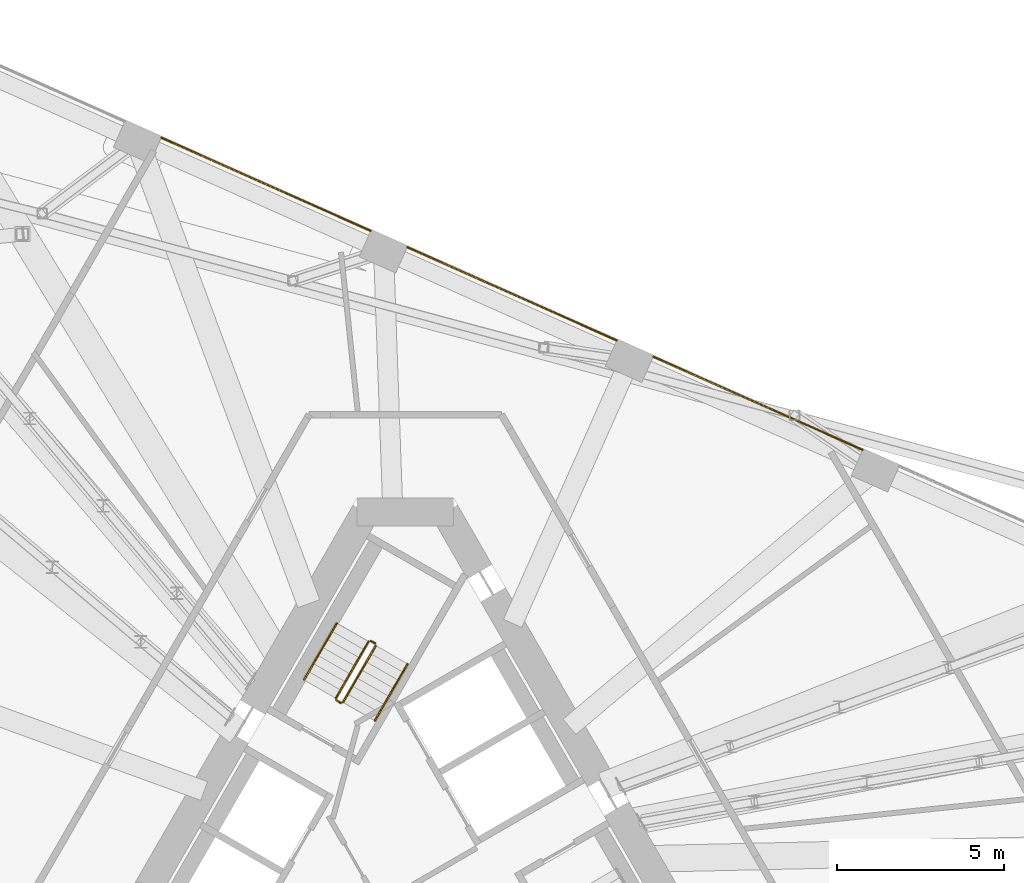
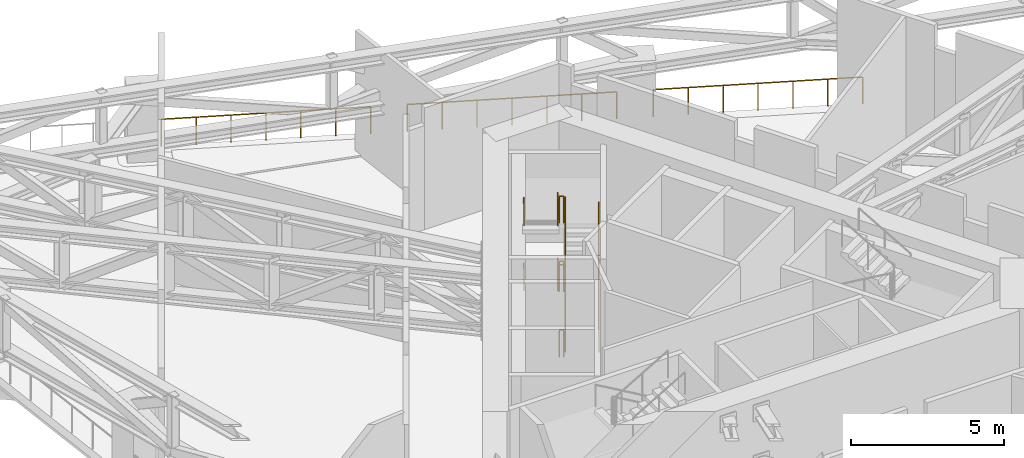
# One storey, part 25 of 26: 15 railings.
"""IFC4 building model written with IfcOpenShell, lengths in metres."""

from ifc_helpers import new_model, si_unit, direction, frame, origin, origin_2d, place, context, subcontext, project, spatial, circle, extrude, material, type_object, element, save


model = new_model("IFC4")

# Units and contexts
model_context = context("Model", 3, precision=1e-05, world=origin(), true_north=direction((0.0, 1.0)))
body_context = subcontext(model_context, "Body", "Model", "MODEL_VIEW")
ifc_project = project(units=[si_unit("LENGTHUNIT", "METRE"), si_unit("AREAUNIT", "SQUARE_METRE"), si_unit("VOLUMEUNIT", "CUBIC_METRE"), si_unit("PLANEANGLEUNIT", "RADIAN"), si_unit("MASSUNIT", "GRAM", prefix="KILO")], contexts=[model_context])

# Site, building, storey
site_placement = place(None, origin())
site = spatial("IfcSite", under=ifc_project, at=site_placement, CompositionType="ELEMENT")
building_placement = place(site_placement, origin())
building = spatial("IfcBuilding", under=site, at=building_placement, Name="Tramontana Tower", CompositionType="ELEMENT")
storey_placement = place(building_placement, frame((0.0, 0.0, 194.800048828125)))
storey = spatial("IfcBuildingStorey", under=building, at=storey_placement, Name="L45", CompositionType="ELEMENT", Elevation=194.800048828125)

# Railings
ifc_material_1 = material(Name="Stainless steel rail and posts", Category="steel")
railing_type_1 = type_object("IfcRailingType", Name="GD2 Terrace guard 1100", PredefinedType="GUARDRAIL", material=ifc_material_1)
railing_1_placement = place(storey_placement, frame((-1.0380859375, 19.016357421875, 0.0)))
element("IfcRailing", 1, at=railing_1_placement, inside=storey, type_object=railing_type_1, Name="Edge guard L45 11", PredefinedType="GUARDRAIL", context=body_context, shape_type="SweptSolid", body=[
    extrude(circle(Radius=0.02392578125, at=origin_2d()), frame((0.0, 0.0, 1.076171875), z_axis=(-0.913556855272, 0.406711042615, 0.0), x_axis=(-0.406711042615, -0.913556855272, 0.0)), (0.0, 0.0, 1.0), 6.8828125),
    extrude(circle(Radius=0.02099609375, at=origin_2d()), origin(), (0.0, 0.0, 1.0), 1.052001953125),
    extrude(circle(Radius=0.02099609375, at=origin_2d()), frame((-1.0478515625, 0.466552734375, 0.0)), (0.0, 0.0, 1.0), 1.052001953125),
    extrude(circle(Radius=0.02099609375, at=origin_2d()), frame((-2.095947265625, 0.93310546875, 0.0)), (0.0, 0.0, 1.0), 1.052001953125),
    extrude(circle(Radius=0.02099609375, at=origin_2d()), frame((-3.14404296875, 1.399658203125, 0.0)), (0.0, 0.0, 1.0), 1.052001953125),
    extrude(circle(Radius=0.02099609375, at=origin_2d()), frame((-4.19189453125, 1.8662109375, 0.0)), (0.0, 0.0, 1.0), 1.052001953125),
    extrude(circle(Radius=0.02099609375, at=origin_2d()), frame((-5.23974609375, 2.332763671875, 0.0)), (0.0, 0.0, 1.0), 1.052001953125),
    extrude(circle(Radius=0.02099609375, at=origin_2d()), frame((-6.287841796875, 2.79931640625, 0.0)), (0.0, 0.0, 1.0), 1.052001953125),
])
for number, where, name in (
    (2, (6.345947265625, 15.728515625, 0.0), "Edge guard L45 13"),
    (3, (13.730224609375, 12.44091796875, 0.0), "Edge guard L45 15"),
):
    element("IfcRailing", number, at=place(storey_placement, frame(where)), inside=storey, type_object=railing_type_1, Name=name, PredefinedType="GUARDRAIL", context=body_context, shape_type="SweptSolid", body=[
        extrude(circle(Radius=0.02392578125, at=origin_2d()), frame((0.0, 0.0, 1.076171875), z_axis=(-0.913543675585, 0.40674064562, 0.0), x_axis=(-0.40674064562, -0.913543675585, 0.0)), (0.0, 0.0, 1.0), 6.8828125),
        extrude(circle(Radius=0.02099609375, at=origin_2d()), origin(), (0.0, 0.0, 1.0), 1.052001953125),
        extrude(circle(Radius=0.02099609375, at=origin_2d()), frame((-1.0478515625, 0.466552734375, 0.0)), (0.0, 0.0, 1.0), 1.052001953125),
        extrude(circle(Radius=0.02099609375, at=origin_2d()), frame((-2.095947265625, 0.93310546875, 0.0)), (0.0, 0.0, 1.0), 1.052001953125),
        extrude(circle(Radius=0.02099609375, at=origin_2d()), frame((-3.14404296875, 1.39990234375, 0.0)), (0.0, 0.0, 1.0), 1.052001953125),
        extrude(circle(Radius=0.02099609375, at=origin_2d()), frame((-4.19189453125, 1.866455078125, 0.0)), (0.0, 0.0, 1.0), 1.052001953125),
        extrude(circle(Radius=0.02099609375, at=origin_2d()), frame((-5.23974609375, 2.3330078125, 0.0)), (0.0, 0.0, 1.0), 1.052001953125),
        extrude(circle(Radius=0.02099609375, at=origin_2d()), frame((-6.287841796875, 2.799560546875, 0.0)), (0.0, 0.0, 1.0), 1.052001953125),
    ])
ifc_material_2 = material(Name="Painted steel", Category="steel")
railing_type_2 = type_object("IfcRailingType", Name="STAIR GUARD 1100", PredefinedType="GUARDRAIL", material=ifc_material_2)
railing_2_placement = place(storey_placement, frame((-1.867431640625, 4.865478515625, 0.162353515625)))
element("IfcRailing", 4, at=railing_2_placement, inside=storey, type_object=railing_type_2, Name="L45 ST1 stair guard 1", PredefinedType="GUARDRAIL", context=body_context, shape_type="SweptSolid", body=[
    extrude(circle(Radius=0.02392578125, at=origin_2d()), frame((0.0, 0.0, 1.076171875), z_axis=(0.432408546523, 0.749012611852, 0.501998960338), x_axis=(-0.866042469362, 0.499970440388, 0.0)), (0.0, 0.0, 1.0), 2.266357421875),
    extrude(circle(Radius=0.02099609375, at=origin_2d()), origin(), (0.0, 0.0, 1.0), 1.052001953125),
    extrude(circle(Radius=0.02099609375, at=origin_2d()), frame((0.489990234375, 0.8486328125, 0.56884765625)), (0.0, 0.0, 1.0), 1.052001953125),
    extrude(circle(Radius=0.02099609375, at=origin_2d()), frame((0.97998046875, 1.697509765625, 1.1376953125)), (0.0, 0.0, 1.0), 1.052001953125),
])
railing_3_placement = place(storey_placement, frame((-1.10400390625, 6.68798828125, 1.46240234375)))
element("IfcRailing", 5, at=railing_3_placement, inside=storey, type_object=railing_type_2, Name="L45 ST1 stair guard 2", PredefinedType="GUARDRAIL", context=body_context, shape_type="SweptSolid", body=[
    extrude(circle(Radius=0.02392578125, at=origin_2d()), frame((0.0, 0.0, 1.076171875), z_axis=(-0.432431929651, -0.749053115811, 0.501918375746), x_axis=(0.866042469362, -0.499970440388, 0.0)), (0.0, 0.0, 1.0), 2.26611328125),
    extrude(circle(Radius=0.02099609375, at=origin_2d()), origin(), (0.0, 0.0, 1.0), 1.052001953125),
    extrude(circle(Radius=0.02099609375, at=origin_2d()), frame((-0.489990234375, -0.8486328125, 0.56884765625)), (0.0, 0.0, 1.0), 1.052001953125),
    extrude(circle(Radius=0.02099609375, at=origin_2d()), frame((-0.97998046875, -1.697509765625, 1.137451171875)), (0.0, 0.0, 1.0), 1.052001953125),
])
railing_4_placement = place(storey_placement, frame((-1.867431640625, 4.865478515625, 2.762451171875)))
element("IfcRailing", 6, at=railing_4_placement, inside=storey, type_object=railing_type_2, Name="L45 ST1 stair guard 3", PredefinedType="GUARDRAIL", context=body_context, shape_type="SweptSolid", body=[
    extrude(circle(Radius=0.02392578125, at=origin_2d()), frame((0.0, 0.0, 1.076171875), z_axis=(0.432431929651, 0.749053115811, 0.501918375746), x_axis=(-0.866042469362, 0.499970440388, 0.0)), (0.0, 0.0, 1.0), 2.26611328125),
    extrude(circle(Radius=0.02099609375, at=origin_2d()), origin(), (0.0, 0.0, 1.0), 1.052001953125),
    extrude(circle(Radius=0.02099609375, at=origin_2d()), frame((0.489990234375, 0.8486328125, 0.56884765625)), (0.0, 0.0, 1.0), 1.052001953125),
    extrude(circle(Radius=0.02099609375, at=origin_2d()), frame((0.97998046875, 1.697509765625, 1.137451171875)), (0.0, 0.0, 1.0), 1.052001953125),
])
railing_5_placement = place(storey_placement, frame((-1.10400390625, 6.68798828125, 4.0625)))
element("IfcRailing", 7, at=railing_5_placement, inside=storey, type_object=railing_type_2, Name="L45 ST1 stair guard 4", PredefinedType="GUARDRAIL", context=body_context, shape_type="SweptSolid", body=[
    extrude(circle(Radius=0.02392578125, at=origin_2d()), frame((0.0, 0.0, 1.076171875), z_axis=(-0.432431929651, -0.749053115811, 0.501918375746), x_axis=(0.866042469362, -0.499970440388, 0.0)), (0.0, 0.0, 1.0), 2.26611328125),
    extrude(circle(Radius=0.02099609375, at=origin_2d()), origin(), (0.0, 0.0, 1.0), 1.052001953125),
    extrude(circle(Radius=0.02099609375, at=origin_2d()), frame((-0.489990234375, -0.8486328125, 0.56884765625)), (0.0, 0.0, 1.0), 1.052001953125),
    extrude(circle(Radius=0.02099609375, at=origin_2d()), frame((-0.97998046875, -1.697509765625, 1.137451171875)), (0.0, 0.0, 1.0), 1.052001953125),
])
railing_6_placement = place(storey_placement, frame((-0.90576171875, 6.63134765625, 1.300048828125)))
element("IfcRailing", 8, at=railing_6_placement, inside=storey, type_object=railing_type_2, Name="L45 ST1 stair guard 5", PredefinedType="GUARDRAIL", context=body_context, shape_type="SweptSolid", body=[
    extrude(circle(Radius=0.02392578125, at=origin_2d()), frame((0.0, 0.0, 1.076171875), z_axis=(-0.866131372301, 0.499816412211, 0.0), x_axis=(-0.499816412211, -0.866131372301, 0.0)), (0.0, 0.0, 1.0), 0.14990234375),
    extrude(circle(Radius=0.02099609375, at=origin_2d()), origin(), (0.0, 0.0, 1.0), 1.052001953125),
    extrude(circle(Radius=0.02099609375, at=origin_2d()), frame((-0.1298828125, 0.074951171875, 0.0)), (0.0, 0.0, 1.0), 1.052001953125),
])
railing_7_placement = place(storey_placement, frame((-1.935791015625, 4.84716796875, 2.599853515625)))
element("IfcRailing", 9, at=railing_7_placement, inside=storey, type_object=railing_type_2, Name="L45 ST1 stair guard 6", PredefinedType="GUARDRAIL", context=body_context, shape_type="SweptSolid", body=[
    extrude(circle(Radius=0.02392578125, at=origin_2d()), frame((0.0, 0.0, 1.076171875), z_axis=(-0.865426285481, 0.501036270542, 0.0), x_axis=(-0.501036270542, -0.865426285481, 0.0)), (0.0, 0.0, 1.0), 0.150146484375),
    extrude(circle(Radius=0.02099609375, at=origin_2d()), origin(), (0.0, 0.0, 1.0), 1.052001953125),
    extrude(circle(Radius=0.02099609375, at=origin_2d()), frame((-0.1298828125, 0.0751953125, 0.0)), (0.0, 0.0, 1.0), 1.052001953125),
])
railing_8_placement = place(storey_placement, frame((-0.90576171875, 6.63134765625, 3.89990234375)))
element("IfcRailing", 10, at=railing_8_placement, inside=storey, type_object=railing_type_2, Name="L45 ST1 stair guard 7", PredefinedType="GUARDRAIL", context=body_context, shape_type="SweptSolid", body=[
    extrude(circle(Radius=0.02392578125, at=origin_2d()), frame((0.0, 0.0, 1.076171875), z_axis=(-0.866131372301, 0.499816412211, 0.0), x_axis=(-0.499816412211, -0.866131372301, 0.0)), (0.0, 0.0, 1.0), 0.14990234375),
    extrude(circle(Radius=0.02099609375, at=origin_2d()), origin(), (0.0, 0.0, 1.0), 1.052001953125),
    extrude(circle(Radius=0.02099609375, at=origin_2d()), frame((-0.1298828125, 0.074951171875, 0.0)), (0.0, 0.0, 1.0), 1.052001953125),
])
railing_9_placement = place(storey_placement, frame((-1.935791015625, 4.84716796875, 0.0)))
element("IfcRailing", 11, at=railing_9_placement, inside=storey, type_object=railing_type_2, Name="L45 ST1 stair guard 8", PredefinedType="GUARDRAIL", context=body_context, shape_type="SweptSolid", body=[
    extrude(circle(Radius=0.02392578125, at=origin_2d()), frame((0.0, 0.0, 1.076171875), z_axis=(-0.865426285481, 0.501036270542, 0.0), x_axis=(-0.501036270542, -0.865426285481, 0.0)), (0.0, 0.0, 1.0), 0.150146484375),
    extrude(circle(Radius=0.02099609375, at=origin_2d()), origin(), (0.0, 0.0, 1.0), 1.052001953125),
    extrude(circle(Radius=0.02099609375, at=origin_2d()), frame((-0.1298828125, 0.0751953125, 0.0)), (0.0, 0.0, 1.0), 1.052001953125),
])
ifc_material_3 = material(Name="Painted steel", Category="steel")
railing_type_3 = type_object("IfcRailingType", Name="STAIR HANDRAIL 900", PredefinedType="HANDRAIL", material=ifc_material_3)
railing_10_placement = place(storey_placement, frame((-0.914794921875, 4.315673828125, 0.162353515625)))
element("IfcRailing", 12, at=railing_10_placement, inside=storey, type_object=railing_type_3, Name="L45 ST1 stair handrail 1", PredefinedType="HANDRAIL", context=body_context, shape_type="SweptSolid", body=[
    extrude(circle(Radius=0.02392578125, at=origin_2d()), frame((0.0, 0.0, 0.8759765625), z_axis=(0.432443438183, 0.748965316953, 0.502039467347), x_axis=(-0.866011328839, 0.500024377727, 0.0)), (0.0, 0.0, 1.0), 2.26611328125),
    extrude(circle(Radius=0.02099609375, at=origin_2d()), origin(), (0.0, 0.0, 1.0), 0.851806640625),
    extrude(circle(Radius=0.02099609375, at=origin_2d()), frame((0.489990234375, 0.8486328125, 0.56884765625)), (0.0, 0.0, 1.0), 0.851806640625),
    extrude(circle(Radius=0.02099609375, at=origin_2d()), frame((0.97998046875, 1.697265625, 1.1376953125)), (0.0, 0.0, 1.0), 0.851806640625),
])
railing_11_placement = place(storey_placement, frame((-2.056640625, 7.238037109375, 1.46240234375)))
element("IfcRailing", 13, at=railing_11_placement, inside=storey, type_object=railing_type_3, Name="L45 ST1 stair handrail 2", PredefinedType="HANDRAIL", context=body_context, shape_type="SweptSolid", body=[
    extrude(circle(Radius=0.02392578125, at=origin_2d()), frame((0.0, 0.0, 0.8759765625), z_axis=(-0.432431929651, -0.749053115811, 0.501918375746), x_axis=(0.866042469362, -0.499970440388, 0.0)), (0.0, 0.0, 1.0), 2.26611328125),
    extrude(circle(Radius=0.02099609375, at=origin_2d()), origin(), (0.0, 0.0, 1.0), 0.851806640625),
    extrude(circle(Radius=0.02099609375, at=origin_2d()), frame((-0.489990234375, -0.8486328125, 0.56884765625)), (0.0, 0.0, 1.0), 0.851806640625),
    extrude(circle(Radius=0.02099609375, at=origin_2d()), frame((-0.97998046875, -1.697509765625, 1.137451171875)), (0.0, 0.0, 1.0), 0.851806640625),
])
railing_12_placement = place(storey_placement, frame((-0.914794921875, 4.315673828125, 2.762451171875)))
element("IfcRailing", 14, at=railing_12_placement, inside=storey, type_object=railing_type_3, Name="L45 ST1 stair handrail 3", PredefinedType="HANDRAIL", context=body_context, shape_type="SweptSolid", body=[
    extrude(circle(Radius=0.02392578125, at=origin_2d()), frame((0.0, 0.0, 0.8759765625), z_axis=(0.432466826973, 0.749005824891, 0.501958880634), x_axis=(-0.866011328839, 0.500024377727, 0.0)), (0.0, 0.0, 1.0), 2.26611328125),
    extrude(circle(Radius=0.02099609375, at=origin_2d()), origin(), (0.0, 0.0, 1.0), 0.851806640625),
    extrude(circle(Radius=0.02099609375, at=origin_2d()), frame((0.489990234375, 0.8486328125, 0.56884765625)), (0.0, 0.0, 1.0), 0.851806640625),
    extrude(circle(Radius=0.02099609375, at=origin_2d()), frame((0.97998046875, 1.697265625, 1.137451171875)), (0.0, 0.0, 1.0), 0.851806640625),
])
railing_13_placement = place(storey_placement, frame((-2.056640625, 7.238037109375, 4.0625)))
element("IfcRailing", 15, at=railing_13_placement, inside=storey, type_object=railing_type_3, Name="L45 ST1 stair handrail 4", PredefinedType="HANDRAIL", context=body_context, shape_type="SweptSolid", body=[
    extrude(circle(Radius=0.02392578125, at=origin_2d()), frame((0.0, 0.0, 0.8759765625), z_axis=(-0.432431929651, -0.749053115811, 0.501918375746), x_axis=(0.866042469362, -0.499970440388, 0.0)), (0.0, 0.0, 1.0), 2.26611328125),
    extrude(circle(Radius=0.02099609375, at=origin_2d()), origin(), (0.0, 0.0, 1.0), 0.851806640625),
    extrude(circle(Radius=0.02099609375, at=origin_2d()), frame((-0.489990234375, -0.8486328125, 0.56884765625)), (0.0, 0.0, 1.0), 0.851806640625),
    extrude(circle(Radius=0.02099609375, at=origin_2d()), frame((-0.97998046875, -1.697509765625, 1.137451171875)), (0.0, 0.0, 1.0), 0.851806640625),
])

save(model, "model.ifc")
